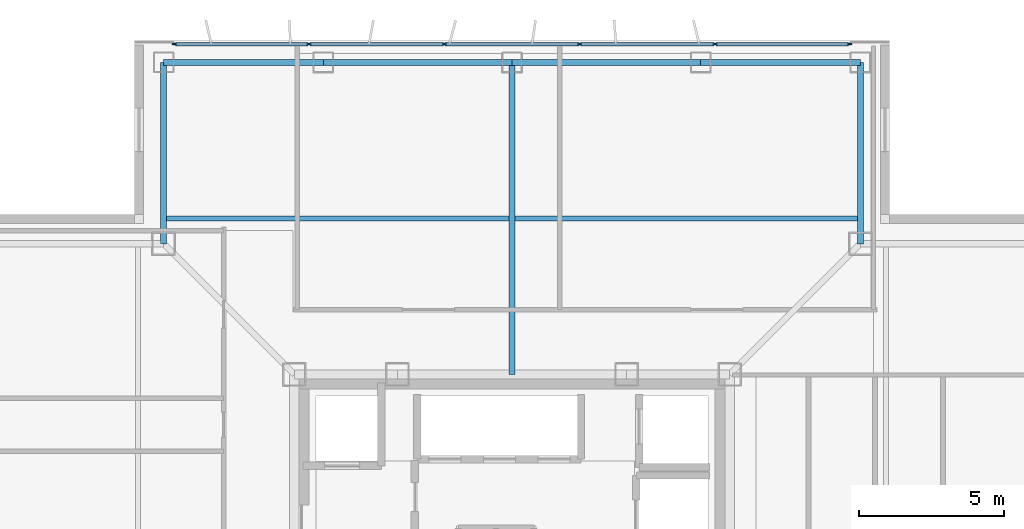
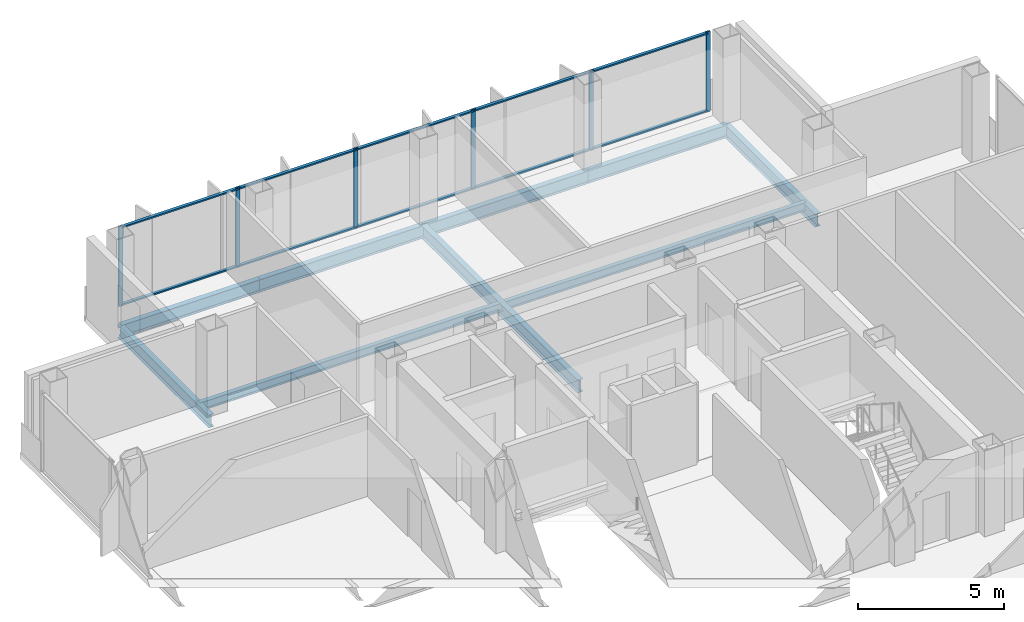
# One storey, part 6 of 15: 16 members, 8 beams, 1 element without a shape of its own.
"""IFC4 building model written with IfcOpenShell, lengths in metres."""

from ifc_helpers import new_model, si_unit, direction, frame, origin, origin_2d, place, context, subcontext, project, spatial, rectangle, i_section, extrude, material, layer, layer_set, material_profile, profile_set, type_object, element, aggregate, save


model = new_model("IFC4")

# Units and contexts
model_context = context("Model", 3, precision=1e-05, world=origin(), true_north=direction((0.0, 1.0)))
body_context = subcontext(model_context, "Body", "Model", "MODEL_VIEW")
ifc_project = project(units=[si_unit("LENGTHUNIT", "METRE"), si_unit("AREAUNIT", "SQUARE_METRE"), si_unit("VOLUMEUNIT", "CUBIC_METRE"), si_unit("PLANEANGLEUNIT", "RADIAN"), si_unit("MASSUNIT", "GRAM", prefix="KILO")], contexts=[model_context])

# Site, building, storey
site_placement = place(None, origin())
site = spatial("IfcSite", under=ifc_project, at=site_placement, CompositionType="ELEMENT")
building_placement = place(site_placement, origin())
building = spatial("IfcBuilding", under=site, at=building_placement, Name="Trevonay Congress Spire", CompositionType="ELEMENT")
storey_placement = place(building_placement, frame((0.0, 0.0, 282.800048828125)))
storey = spatial("IfcBuildingStorey", under=building, at=storey_placement, Name="L74", CompositionType="ELEMENT", Elevation=282.800048828125)

# Beams
ifc_material_1 = material(Name="Steel ASTM A572 Grade 50", Category="steel")
ifc_material_profile_1 = material_profile(ifc_material_1, i_section(OverallWidth=0.2119140625, OverallDepth=0.5439453125, WebThickness=0.01318359375, FlangeThickness=0.021240234375, FilletRadius=0.014892578125, at=origin_2d()), Name="W530x123")
ifc_profile_set_1 = profile_set([ifc_material_profile_1], Name="Steel ASTM A572 Grade 50")
beam_type_1 = type_object("IfcBeamType", Name="BM-GIRD-W530X123", PredefinedType="BEAM", material=ifc_profile_set_1)
beam_1_placement = place(storey_placement, frame((0.0, 7.5, -0.511962890625), z_axis=(0.0, 1.0, 0.0), x_axis=(-1.0, 0.0, 0.0)))
element("IfcBeam", 1, at=beam_1_placement, inside=storey, type_object=beam_type_1, Name="L74 structural beam BM-L74-GC-N", PredefinedType="BEAM", context=body_context, shape_type="SweptSolid", body=[
    extrude(i_section(OverallWidth=0.2119140625, OverallDepth=0.5439453125, WebThickness=0.01318359375, FlangeThickness=0.021240234375, FilletRadius=0.014892578125, at=origin_2d()), origin(), (0.0, 0.0, 1.0), 10.75),
])
ifc_material_profile_2 = material_profile(ifc_material_1, i_section(OverallWidth=0.208984375, OverallDepth=0.532958984375, WebThickness=0.01025390625, FlangeThickness=0.015625, FilletRadius=0.014892578125, at=origin_2d()), Name="W530x92")
ifc_profile_set_2 = profile_set([ifc_material_profile_2], Name="Steel ASTM A572 Grade 50")
beam_type_2 = type_object("IfcBeamType", Name="BM-RING-W530X92", PredefinedType="BEAM", material=ifc_profile_set_2)
beam_2_placement = place(storey_placement, frame((-12.0, 18.25, -0.506591796875), z_axis=(1.0, 0.0, 0.0), x_axis=(0.0, 1.0, 0.0)))
element("IfcBeam", 2, at=beam_2_placement, inside=storey, type_object=beam_type_2, Name="L74 structural beam BM-L74-PN1", PredefinedType="BEAM", context=body_context, shape_type="SweptSolid", body=[
    extrude(i_section(OverallWidth=0.208984375, OverallDepth=0.532958984375, WebThickness=0.01025390625, FlangeThickness=0.015625, FilletRadius=0.014892578125, at=origin_2d()), origin(), (0.0, 0.0, 1.0), 5.5),
])
for number, where, z_axis, x_axis, name in (
    (3, (-6.5, 18.25, -0.506591796875), (1.0, 0.0, 0.0), (0.0, 1.0, 0.0), "L74 structural beam BM-L74-PN2"),
    (4, (0.0, 18.25, -0.506591796875), (1.0, 0.0, 0.0), (0.0, 1.0, 0.0), "L74 structural beam BM-L74-PN3"),
):
    element("IfcBeam", number, at=place(storey_placement, frame(where, z_axis=z_axis, x_axis=x_axis)), inside=storey, type_object=beam_type_2, Name=name, PredefinedType="BEAM", context=body_context, shape_type="SweptSolid", body=[
        extrude(i_section(OverallWidth=0.208984375, OverallDepth=0.532958984375, WebThickness=0.01025390625, FlangeThickness=0.015625, FilletRadius=0.014892578125, at=origin_2d()), origin(), (0.0, 0.0, 1.0), 6.5),
    ])
beam_3_placement = place(storey_placement, frame((6.5, 18.25, -0.506591796875), z_axis=(1.0, 0.0, 0.0), x_axis=(0.0, 1.0, 0.0)))
element("IfcBeam", 5, at=beam_3_placement, inside=storey, type_object=beam_type_2, Name="L74 structural beam BM-L74-PN4", PredefinedType="BEAM", context=body_context, shape_type="SweptSolid", body=[
    extrude(i_section(OverallWidth=0.208984375, OverallDepth=0.532958984375, WebThickness=0.01025390625, FlangeThickness=0.015625, FilletRadius=0.014892578125, at=origin_2d()), origin(), (0.0, 0.0, 1.0), 5.5),
])
for number, where, z_axis, x_axis, name in (
    (6, (12.0, 18.25, -0.506591796875), (0.0, -1.0, 0.0), (1.0, 0.0, 0.0), "L74 structural beam BM-L74-N1NE"),
    (7, (-12.0, 18.25, -0.506591796875), (0.0, -1.0, 0.0), (1.0, 0.0, 0.0), "L74 structural beam BM-L74-N1NW"),
):
    element("IfcBeam", number, at=place(storey_placement, frame(where, z_axis=z_axis, x_axis=x_axis)), inside=storey, type_object=beam_type_2, Name=name, PredefinedType="BEAM", context=body_context, shape_type="SweptSolid", body=[
        extrude(i_section(OverallWidth=0.208984375, OverallDepth=0.532958984375, WebThickness=0.01025390625, FlangeThickness=0.015625, FilletRadius=0.014892578125, at=origin_2d()), origin(), (0.0, 0.0, 1.0), 6.25),
    ])

# Curtain wall, members
ifc_material_2 = material(Name="Pale Anodised Aluminium EN AW-6063-T6", Category="aluminium")
ifc_layer = layer(ifc_material_2, 0.1650390625, Name="Pale Anodised Aluminium EN AW-6063-T6")
ifc_layer_set = layer_set([ifc_layer], Name="Pale Anodised Aluminium EN AW-6063-T6")
curtain_wall_type = type_object("IfcCurtainWallType", Name="CW-SYS05-DIPLOM-PALE-METAL", PredefinedType="NOTDEFINED", material=ifc_layer_set)
curtain_wall_placement = place(storey_placement, origin())
curtain_wall = element("IfcCurtainWall", 8, at=curtain_wall_placement, inside=storey, type_object=curtain_wall_type, Name="L74 N unitised curtain wall", PredefinedType="NOTDEFINED")
ifc_material_profile_3 = material_profile(ifc_material_2, rectangle(XDim=0.06005859375, YDim=0.159912109375, at=origin_2d()), Name="CW-MULLION-160-ALUMINIUM")
ifc_profile_set_3 = profile_set([ifc_material_profile_3], Name="Pale Anodised Aluminium EN AW-6063-T6")
member_type_1 = type_object("IfcMemberType", Name="CW-MULLION-160-ALUMINIUM", PredefinedType="MULLION", material=ifc_profile_set_3)
member_1_placement = place(storey_placement, frame((-11.6201171875, 18.8798828125, 0.0), z_axis=(0.0, 0.0, 1.0), x_axis=(0.0, 1.0, 0.0)))
member_1 = element("IfcMember", 9, at=member_1_placement, type_object=member_type_1, Name="CW05 mullion 1", PredefinedType="MULLION", context=body_context, shape_type="SweptSolid", body=[
    extrude(rectangle(XDim=0.06005859375, YDim=0.159912109375, at=origin_2d()), origin(), (0.0, 0.0, 1.0), 3.35986328125),
])
member_2_placement = place(storey_placement, frame((-6.989990234375, 18.8798828125, 0.0), z_axis=(0.0, 0.0, 1.0), x_axis=(0.0, 1.0, 0.0)))
member_2 = element("IfcMember", 10, at=member_2_placement, type_object=member_type_1, Name="CW05 mullion 2", PredefinedType="MULLION", context=body_context, shape_type="SweptSolid", body=[
    extrude(rectangle(XDim=0.06005859375, YDim=0.159912109375, at=origin_2d()), origin(), (0.0, 0.0, 1.0), 3.35986328125),
])
member_3_placement = place(storey_placement, frame((-2.330078125, 18.8798828125, 0.0), z_axis=(0.0, 0.0, 1.0), x_axis=(0.0, 1.0, 0.0)))
member_3 = element("IfcMember", 11, at=member_3_placement, type_object=member_type_1, Name="CW05 mullion 3", PredefinedType="MULLION", context=body_context, shape_type="SweptSolid", body=[
    extrude(rectangle(XDim=0.06005859375, YDim=0.159912109375, at=origin_2d()), origin(), (0.0, 0.0, 1.0), 3.35986328125),
])
member_4_placement = place(storey_placement, frame((2.330078125, 18.8798828125, 0.0), z_axis=(0.0, 0.0, 1.0), x_axis=(0.0, 1.0, 0.0)))
member_4 = element("IfcMember", 12, at=member_4_placement, type_object=member_type_1, Name="CW05 mullion 4", PredefinedType="MULLION", context=body_context, shape_type="SweptSolid", body=[
    extrude(rectangle(XDim=0.06005859375, YDim=0.159912109375, at=origin_2d()), origin(), (0.0, 0.0, 1.0), 3.35986328125),
])
member_5_placement = place(storey_placement, frame((6.989990234375, 18.8798828125, 0.0), z_axis=(0.0, 0.0, 1.0), x_axis=(0.0, 1.0, 0.0)))
member_5 = element("IfcMember", 13, at=member_5_placement, type_object=member_type_1, Name="CW05 mullion 5", PredefinedType="MULLION", context=body_context, shape_type="SweptSolid", body=[
    extrude(rectangle(XDim=0.06005859375, YDim=0.159912109375, at=origin_2d()), origin(), (0.0, 0.0, 1.0), 3.35986328125),
])
member_6_placement = place(storey_placement, frame((11.6201171875, 18.8798828125, 0.0), z_axis=(0.0, 0.0, 1.0), x_axis=(0.0, 1.0, 0.0)))
member_6 = element("IfcMember", 14, at=member_6_placement, type_object=member_type_1, Name="CW05 mullion 6", PredefinedType="MULLION", context=body_context, shape_type="SweptSolid", body=[
    extrude(rectangle(XDim=0.06005859375, YDim=0.159912109375, at=origin_2d()), origin(), (0.0, 0.0, 1.0), 3.35986328125),
])
ifc_material_profile_4 = material_profile(ifc_material_2, rectangle(XDim=0.1201171875, YDim=0.06005859375, at=origin_2d()), Name="CW-TRANSOM-120-ALUMINIUM")
ifc_profile_set_4 = profile_set([ifc_material_profile_4], Name="Pale Anodised Aluminium EN AW-6063-T6")
member_type_2 = type_object("IfcMemberType", Name="CW-TRANSOM-120-ALUMINIUM", PredefinedType="USERDEFINED", material=ifc_profile_set_4)
member_7_placement = place(storey_placement, frame((-11.590087890625, 18.8798828125, 0.06005859375), z_axis=(1.0, 0.0, 0.0), x_axis=(0.0, 1.0, 0.0)))
member_7 = element("IfcMember", 15, at=member_7_placement, type_object=member_type_2, Name="CW05 transom 1.1", ObjectType="TRANSOM", PredefinedType="USERDEFINED", context=body_context, shape_type="SweptSolid", body=[
    extrude(rectangle(XDim=0.1201171875, YDim=0.06005859375, at=origin_2d()), origin(), (0.0, 0.0, 1.0), 4.570068359375),
])
member_8_placement = place(storey_placement, frame((-11.590087890625, 18.8798828125, 3.300048828125), z_axis=(1.0, 0.0, 0.0), x_axis=(0.0, 1.0, 0.0)))
member_8 = element("IfcMember", 16, at=member_8_placement, type_object=member_type_2, Name="CW05 transom 1.2", ObjectType="TRANSOM", PredefinedType="USERDEFINED", context=body_context, shape_type="SweptSolid", body=[
    extrude(rectangle(XDim=0.1201171875, YDim=0.06005859375, at=origin_2d()), origin(), (0.0, 0.0, 1.0), 4.570068359375),
])
member_9_placement = place(storey_placement, frame((-6.9599609375, 18.8798828125, 0.06005859375), z_axis=(1.0, 0.0, 0.0), x_axis=(0.0, 1.0, 0.0)))
member_9 = element("IfcMember", 17, at=member_9_placement, type_object=member_type_2, Name="CW05 transom 2.1", ObjectType="TRANSOM", PredefinedType="USERDEFINED", context=body_context, shape_type="SweptSolid", body=[
    extrude(rectangle(XDim=0.1201171875, YDim=0.06005859375, at=origin_2d()), origin(), (0.0, 0.0, 1.0), 4.599853515625),
])
member_10_placement = place(storey_placement, frame((-6.9599609375, 18.8798828125, 3.300048828125), z_axis=(1.0, 0.0, 0.0), x_axis=(0.0, 1.0, 0.0)))
member_10 = element("IfcMember", 18, at=member_10_placement, type_object=member_type_2, Name="CW05 transom 2.2", ObjectType="TRANSOM", PredefinedType="USERDEFINED", context=body_context, shape_type="SweptSolid", body=[
    extrude(rectangle(XDim=0.1201171875, YDim=0.06005859375, at=origin_2d()), origin(), (0.0, 0.0, 1.0), 4.599853515625),
])
member_11_placement = place(storey_placement, frame((-2.300048828125, 18.8798828125, 0.06005859375), z_axis=(1.0, 0.0, 0.0), x_axis=(0.0, 1.0, 0.0)))
member_11 = element("IfcMember", 19, at=member_11_placement, type_object=member_type_2, Name="CW05 transom 3.1", ObjectType="TRANSOM", PredefinedType="USERDEFINED", context=body_context, shape_type="SweptSolid", body=[
    extrude(rectangle(XDim=0.1201171875, YDim=0.06005859375, at=origin_2d()), origin(), (0.0, 0.0, 1.0), 4.60009765625),
])
member_12_placement = place(storey_placement, frame((-2.300048828125, 18.8798828125, 3.300048828125), z_axis=(1.0, 0.0, 0.0), x_axis=(0.0, 1.0, 0.0)))
member_12 = element("IfcMember", 20, at=member_12_placement, type_object=member_type_2, Name="CW05 transom 3.2", ObjectType="TRANSOM", PredefinedType="USERDEFINED", context=body_context, shape_type="SweptSolid", body=[
    extrude(rectangle(XDim=0.1201171875, YDim=0.06005859375, at=origin_2d()), origin(), (0.0, 0.0, 1.0), 4.60009765625),
])
member_13_placement = place(storey_placement, frame((2.360107421875, 18.8798828125, 0.06005859375), z_axis=(1.0, 0.0, 0.0), x_axis=(0.0, 1.0, 0.0)))
member_13 = element("IfcMember", 21, at=member_13_placement, type_object=member_type_2, Name="CW05 transom 4.1", ObjectType="TRANSOM", PredefinedType="USERDEFINED", context=body_context, shape_type="SweptSolid", body=[
    extrude(rectangle(XDim=0.1201171875, YDim=0.06005859375, at=origin_2d()), origin(), (0.0, 0.0, 1.0), 4.599853515625),
])
member_14_placement = place(storey_placement, frame((2.360107421875, 18.8798828125, 3.300048828125), z_axis=(1.0, 0.0, 0.0), x_axis=(0.0, 1.0, 0.0)))
member_14 = element("IfcMember", 22, at=member_14_placement, type_object=member_type_2, Name="CW05 transom 4.2", ObjectType="TRANSOM", PredefinedType="USERDEFINED", context=body_context, shape_type="SweptSolid", body=[
    extrude(rectangle(XDim=0.1201171875, YDim=0.06005859375, at=origin_2d()), origin(), (0.0, 0.0, 1.0), 4.599853515625),
])
member_15_placement = place(storey_placement, frame((7.02001953125, 18.8798828125, 0.06005859375), z_axis=(1.0, 0.0, 0.0), x_axis=(0.0, 1.0, 0.0)))
member_15 = element("IfcMember", 23, at=member_15_placement, type_object=member_type_2, Name="CW05 transom 5.1", ObjectType="TRANSOM", PredefinedType="USERDEFINED", context=body_context, shape_type="SweptSolid", body=[
    extrude(rectangle(XDim=0.1201171875, YDim=0.06005859375, at=origin_2d()), origin(), (0.0, 0.0, 1.0), 4.570068359375),
])
member_16_placement = place(storey_placement, frame((7.02001953125, 18.8798828125, 3.300048828125), z_axis=(1.0, 0.0, 0.0), x_axis=(0.0, 1.0, 0.0)))
member_16 = element("IfcMember", 24, at=member_16_placement, type_object=member_type_2, Name="CW05 transom 5.2", ObjectType="TRANSOM", PredefinedType="USERDEFINED", context=body_context, shape_type="SweptSolid", body=[
    extrude(rectangle(XDim=0.1201171875, YDim=0.06005859375, at=origin_2d()), origin(), (0.0, 0.0, 1.0), 4.570068359375),
])
aggregate(curtain_wall, [member_1, member_2, member_3, member_4, member_5, member_6, member_7, member_8, member_9, member_10, member_11, member_12, member_13, member_14, member_15, member_16])

# Beam
ifc_material_profile_5 = material_profile(ifc_material_1, i_section(OverallWidth=0.172119140625, OverallDepth=0.35791015625, WebThickness=0.0078125, FlangeThickness=0.01318359375, FilletRadius=0.011962890625, at=origin_2d()), Name="W360x57.8")
ifc_profile_set_5 = profile_set([ifc_material_profile_5], Name="Steel ASTM A572 Grade 50")
beam_type_3 = type_object("IfcBeamType", Name="JS-COMP-W360X57", PredefinedType="JOIST", material=ifc_profile_set_5)
beam_4_placement = place(storey_placement, frame((-12.0, 12.875, -0.4189453125), z_axis=(1.0, 0.0, 0.0), x_axis=(0.0, 1.0, 0.0)))
element("IfcBeam", 25, at=beam_4_placement, inside=storey, type_object=beam_type_3, Name="L74 structural beam JS-L74-RING-N", PredefinedType="JOIST", context=body_context, shape_type="SweptSolid", body=[
    extrude(i_section(OverallWidth=0.172119140625, OverallDepth=0.35791015625, WebThickness=0.0078125, FlangeThickness=0.01318359375, FilletRadius=0.011962890625, at=origin_2d()), origin(), (0.0, 0.0, 1.0), 24.0),
])

save(model, "model.ifc")
